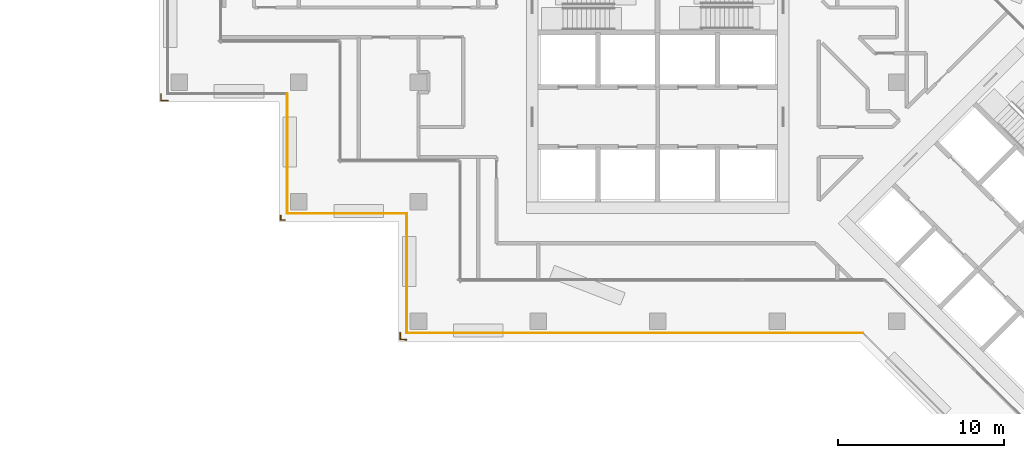
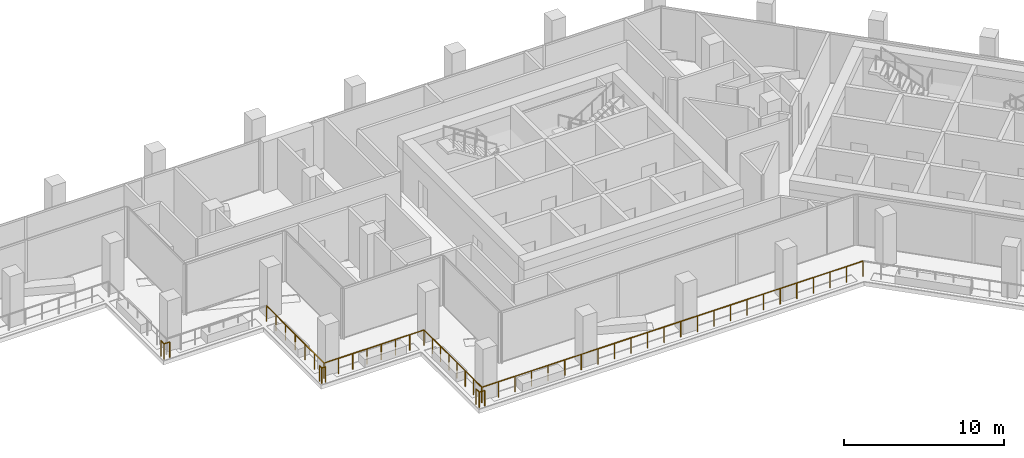
# One storey, part 13 of 21: 10 railings.
"""IFC4 building model written with IfcOpenShell, lengths in metres."""

from ifc_helpers import new_model, si_unit, direction, frame, origin, origin_2d, place, context, subcontext, project, spatial, circle, extrude, material, type_object, element, save


model = new_model("IFC4")

# Units and contexts
model_context = context("Model", 3, precision=1e-05, world=origin(), true_north=direction((0.0, 1.0)))
body_context = subcontext(model_context, "Body", "Model", "MODEL_VIEW")
ifc_project = project(units=[si_unit("LENGTHUNIT", "METRE"), si_unit("AREAUNIT", "SQUARE_METRE"), si_unit("VOLUMEUNIT", "CUBIC_METRE"), si_unit("PLANEANGLEUNIT", "RADIAN"), si_unit("MASSUNIT", "GRAM", prefix="KILO")], contexts=[model_context])

# Site, building, storey
site_placement = place(None, origin())
site = spatial("IfcSite", under=ifc_project, at=site_placement, CompositionType="ELEMENT")
building_placement = place(site_placement, origin())
building = spatial("IfcBuilding", under=site, at=building_placement, Name="Windrow Commons", CompositionType="ELEMENT")
storey_placement = place(building_placement, frame((0.0, 0.0, 131.2)))
storey = spatial("IfcBuildingStorey", under=building, at=storey_placement, Name="L35", CompositionType="ELEMENT", Elevation=131.2)

# Railings
ifc_material = material(Name="Stainless steel S316 balustrade with toughened glass infill", Category="steel")
railing_type = type_object("IfcRailingType", Name="Terrace guard 1200 podium", PredefinedType="BALUSTRADE", material=ifc_material)
railing_1_placement = place(storey_placement, frame((77.163, 42.5, 0.05)))
element("IfcRailing", 1, at=railing_1_placement, inside=storey, type_object=railing_type, Name="Guard TR-L35-1.E1", PredefinedType="BALUSTRADE", context=body_context, shape_type="SweptSolid", body=[
    extrude(circle(Radius=0.025, at=origin_2d()), frame((0.0, 0.0, 1.175), z_axis=(-1.0, 0.0, 0.0), x_axis=(0.0, -1.0, 0.0)), (0.0, 0.0, 1.0), 27.463),
    extrude(circle(Radius=0.02, at=origin_2d()), origin(), (0.0, 0.0, 1.0), 1.15),
    extrude(circle(Radius=0.02, at=origin_2d()), frame((-1.194, 0.0, 0.0)), (0.0, 0.0, 1.0), 1.15),
    extrude(circle(Radius=0.02, at=origin_2d()), frame((-2.3881, 0.0, 0.0)), (0.0, 0.0, 1.0), 1.15),
    extrude(circle(Radius=0.02, at=origin_2d()), frame((-3.5821, 0.0, 0.0)), (0.0, 0.0, 1.0), 1.15),
    extrude(circle(Radius=0.02, at=origin_2d()), frame((-4.7762, 0.0, 0.0)), (0.0, 0.0, 1.0), 1.15),
    extrude(circle(Radius=0.02, at=origin_2d()), frame((-5.9702, 0.0, 0.0)), (0.0, 0.0, 1.0), 1.15),
    extrude(circle(Radius=0.02, at=origin_2d()), frame((-7.1643, 0.0, 0.0)), (0.0, 0.0, 1.0), 1.15),
    extrude(circle(Radius=0.02, at=origin_2d()), frame((-8.3583, 0.0, 0.0)), (0.0, 0.0, 1.0), 1.15),
    extrude(circle(Radius=0.02, at=origin_2d()), frame((-9.5523, 0.0, 0.0)), (0.0, 0.0, 1.0), 1.15),
    extrude(circle(Radius=0.02, at=origin_2d()), frame((-10.7464, 0.0, 0.0)), (0.0, 0.0, 1.0), 1.15),
    extrude(circle(Radius=0.02, at=origin_2d()), frame((-11.9404, 0.0, 0.0)), (0.0, 0.0, 1.0), 1.15),
    extrude(circle(Radius=0.02, at=origin_2d()), frame((-13.1345, 0.0, 0.0)), (0.0, 0.0, 1.0), 1.15),
    extrude(circle(Radius=0.02, at=origin_2d()), frame((-14.3285, 0.0, 0.0)), (0.0, 0.0, 1.0), 1.15),
    extrude(circle(Radius=0.02, at=origin_2d()), frame((-15.5226, 0.0, 0.0)), (0.0, 0.0, 1.0), 1.15),
    extrude(circle(Radius=0.02, at=origin_2d()), frame((-16.7166, 0.0, 0.0)), (0.0, 0.0, 1.0), 1.15),
    extrude(circle(Radius=0.02, at=origin_2d()), frame((-17.9107, 0.0, 0.0)), (0.0, 0.0, 1.0), 1.15),
    extrude(circle(Radius=0.02, at=origin_2d()), frame((-19.1047, 0.0, 0.0)), (0.0, 0.0, 1.0), 1.15),
    extrude(circle(Radius=0.02, at=origin_2d()), frame((-20.2987, 0.0, 0.0)), (0.0, 0.0, 1.0), 1.15),
    extrude(circle(Radius=0.02, at=origin_2d()), frame((-21.4928, 0.0, 0.0)), (0.0, 0.0, 1.0), 1.15),
    extrude(circle(Radius=0.02, at=origin_2d()), frame((-22.6868, 0.0, 0.0)), (0.0, 0.0, 1.0), 1.15),
    extrude(circle(Radius=0.02, at=origin_2d()), frame((-23.8809, 0.0, 0.0)), (0.0, 0.0, 1.0), 1.15),
    extrude(circle(Radius=0.02, at=origin_2d()), frame((-25.0749, 0.0, 0.0)), (0.0, 0.0, 1.0), 1.15),
    extrude(circle(Radius=0.02, at=origin_2d()), frame((-26.269, 0.0, 0.0)), (0.0, 0.0, 1.0), 1.15),
    extrude(circle(Radius=0.02, at=origin_2d()), frame((-27.463, 0.0, 0.0)), (0.0, 0.0, 1.0), 1.15),
])
railing_2_placement = place(storey_placement, frame((49.7, 42.5, 0.05)))
element("IfcRailing", 2, at=railing_2_placement, inside=storey, type_object=railing_type, Name="Guard TR-L35-1.E2", PredefinedType="BALUSTRADE", context=body_context, shape_type="SweptSolid", body=[
    extrude(circle(Radius=0.025, at=origin_2d()), frame((0.0, 0.0, 1.175), z_axis=(0.0, 1.0, 0.0), x_axis=(-1.0, 0.0, 0.0)), (0.0, 0.0, 1.0), 7.2),
    extrude(circle(Radius=0.02, at=origin_2d()), origin(), (0.0, 0.0, 1.0), 1.15),
    extrude(circle(Radius=0.02, at=origin_2d()), frame((0.0, 1.0286, 0.0)), (0.0, 0.0, 1.0), 1.15),
    extrude(circle(Radius=0.02, at=origin_2d()), frame((0.0, 2.0571, 0.0)), (0.0, 0.0, 1.0), 1.15),
    extrude(circle(Radius=0.02, at=origin_2d()), frame((0.0, 3.0857, 0.0)), (0.0, 0.0, 1.0), 1.15),
    extrude(circle(Radius=0.02, at=origin_2d()), frame((0.0, 4.1143, 0.0)), (0.0, 0.0, 1.0), 1.15),
    extrude(circle(Radius=0.02, at=origin_2d()), frame((0.0, 5.1429, 0.0)), (0.0, 0.0, 1.0), 1.15),
    extrude(circle(Radius=0.02, at=origin_2d()), frame((0.0, 6.1714, 0.0)), (0.0, 0.0, 1.0), 1.15),
    extrude(circle(Radius=0.02, at=origin_2d()), frame((0.0, 7.2, 0.0)), (0.0, 0.0, 1.0), 1.15),
])
railing_3_placement = place(storey_placement, frame((49.7, 49.7, 0.05)))
element("IfcRailing", 3, at=railing_3_placement, inside=storey, type_object=railing_type, Name="Guard TR-L35-1.E3", PredefinedType="BALUSTRADE", context=body_context, shape_type="SweptSolid", body=[
    extrude(circle(Radius=0.025, at=origin_2d()), frame((0.0, 0.0, 1.175), z_axis=(-1.0, 0.0, 0.0), x_axis=(0.0, -1.0, 0.0)), (0.0, 0.0, 1.0), 7.2),
    extrude(circle(Radius=0.02, at=origin_2d()), origin(), (0.0, 0.0, 1.0), 1.15),
    extrude(circle(Radius=0.02, at=origin_2d()), frame((-1.0286, 0.0, 0.0)), (0.0, 0.0, 1.0), 1.15),
    extrude(circle(Radius=0.02, at=origin_2d()), frame((-2.0571, 0.0, 0.0)), (0.0, 0.0, 1.0), 1.15),
    extrude(circle(Radius=0.02, at=origin_2d()), frame((-3.0857, 0.0, 0.0)), (0.0, 0.0, 1.0), 1.15),
    extrude(circle(Radius=0.02, at=origin_2d()), frame((-4.1143, 0.0, 0.0)), (0.0, 0.0, 1.0), 1.15),
    extrude(circle(Radius=0.02, at=origin_2d()), frame((-5.1429, 0.0, 0.0)), (0.0, 0.0, 1.0), 1.15),
    extrude(circle(Radius=0.02, at=origin_2d()), frame((-6.1714, 0.0, 0.0)), (0.0, 0.0, 1.0), 1.15),
    extrude(circle(Radius=0.02, at=origin_2d()), frame((-7.2, 0.0, 0.0)), (0.0, 0.0, 1.0), 1.15),
])
railing_4_placement = place(storey_placement, frame((42.5, 49.7, 0.05)))
element("IfcRailing", 4, at=railing_4_placement, inside=storey, type_object=railing_type, Name="Guard TR-L35-1.E4", PredefinedType="BALUSTRADE", context=body_context, shape_type="SweptSolid", body=[
    extrude(circle(Radius=0.025, at=origin_2d()), frame((0.0, 0.0, 1.175), z_axis=(0.0, 1.0, 0.0), x_axis=(-1.0, 0.0, 0.0)), (0.0, 0.0, 1.0), 7.2),
    extrude(circle(Radius=0.02, at=origin_2d()), origin(), (0.0, 0.0, 1.0), 1.15),
    extrude(circle(Radius=0.02, at=origin_2d()), frame((0.0, 1.2, 0.0)), (0.0, 0.0, 1.0), 1.15),
    extrude(circle(Radius=0.02, at=origin_2d()), frame((0.0, 2.4, 0.0)), (0.0, 0.0, 1.0), 1.15),
    extrude(circle(Radius=0.02, at=origin_2d()), frame((0.0, 3.6, 0.0)), (0.0, 0.0, 1.0), 1.15),
    extrude(circle(Radius=0.02, at=origin_2d()), frame((0.0, 4.8, 0.0)), (0.0, 0.0, 1.0), 1.15),
    extrude(circle(Radius=0.02, at=origin_2d()), frame((0.0, 6.0, 0.0)), (0.0, 0.0, 1.0), 1.15),
    extrude(circle(Radius=0.02, at=origin_2d()), frame((0.0, 7.2, 0.0)), (0.0, 0.0, 1.0), 1.15),
])
railing_5_placement = place(storey_placement, frame((35.3038, 56.5, 0.05)))
element("IfcRailing", 5, at=railing_5_placement, inside=storey, type_object=railing_type, Name="Guard TR-L35-1.C161", PredefinedType="BALUSTRADE", context=body_context, shape_type="SweptSolid", body=[
    extrude(circle(Radius=0.025, at=origin_2d()), frame((0.0, 0.0, 1.175), z_axis=(-1.0, 0.0, 0.0), x_axis=(0.0, -1.0, 0.0)), (0.0, 0.0, 1.0), 0.4005),
    extrude(circle(Radius=0.02, at=origin_2d()), origin(), (0.0, 0.0, 1.0), 1.15),
    extrude(circle(Radius=0.02, at=origin_2d()), frame((-0.4005, 0.0, 0.0)), (0.0, 0.0, 1.0), 1.15),
])
railing_6_placement = place(storey_placement, frame((34.9033, 56.5, 0.05)))
element("IfcRailing", 6, at=railing_6_placement, inside=storey, type_object=railing_type, Name="Guard TR-L35-1.C162", PredefinedType="BALUSTRADE", context=body_context, shape_type="SweptSolid", body=[
    extrude(circle(Radius=0.025, at=origin_2d()), frame((0.0, 0.0, 1.175), z_axis=(-0.0083078704, 0.999965489, 0.0), x_axis=(-0.999965489, -0.0083078704, 0.0)), (0.0, 0.0, 1.0), 0.3972),
    extrude(circle(Radius=0.02, at=origin_2d()), origin(), (0.0, 0.0, 1.0), 1.15),
    extrude(circle(Radius=0.02, at=origin_2d()), frame((-0.0033, 0.3972, 0.0)), (0.0, 0.0, 1.0), 1.15),
])
railing_7_placement = place(storey_placement, frame((42.367, 49.3, 0.05)))
element("IfcRailing", 7, at=railing_7_placement, inside=storey, type_object=railing_type, Name="Guard TR-L35-1.C163", PredefinedType="BALUSTRADE", context=body_context, shape_type="SweptSolid", body=[
    extrude(circle(Radius=0.025, at=origin_2d()), frame((0.0, 0.0, 1.175), z_axis=(-0.9995171758, 0.0310711332, 0.0), x_axis=(-0.0310711332, -0.9995171758, 0.0)), (0.0, 0.0, 1.0), 0.2671),
    extrude(circle(Radius=0.02, at=origin_2d()), origin(), (0.0, 0.0, 1.0), 1.15),
    extrude(circle(Radius=0.02, at=origin_2d()), frame((-0.267, 0.0083, 0.0)), (0.0, 0.0, 1.0), 1.15),
])
railing_8_placement = place(storey_placement, frame((42.1, 49.3083, 0.05)))
element("IfcRailing", 8, at=railing_8_placement, inside=storey, type_object=railing_type, Name="Guard TR-L35-1.C164", PredefinedType="BALUSTRADE", context=body_context, shape_type="SweptSolid", body=[
    extrude(circle(Radius=0.025, at=origin_2d()), frame((0.0, 0.0, 1.175), z_axis=(0.0, 1.0, 0.0), x_axis=(-1.0, 0.0, 0.0)), (0.0, 0.0, 1.0), 0.2754),
    extrude(circle(Radius=0.02, at=origin_2d()), origin(), (0.0, 0.0, 1.0), 1.15),
    extrude(circle(Radius=0.02, at=origin_2d()), frame((0.0, 0.2754, 0.0)), (0.0, 0.0, 1.0), 1.15),
])
railing_9_placement = place(storey_placement, frame((49.6805, 42.1, 0.05)))
element("IfcRailing", 9, at=railing_9_placement, inside=storey, type_object=railing_type, Name="Guard TR-L35-1.C165", PredefinedType="BALUSTRADE", context=body_context, shape_type="SweptSolid", body=[
    extrude(circle(Radius=0.025, at=origin_2d()), frame((0.0, 0.0, 1.175), z_axis=(-0.9986351748, 0.052228226, 0.0), x_axis=(-0.052228226, -0.9986351748, 0.0)), (0.0, 0.0, 1.0), 0.381),
    extrude(circle(Radius=0.02, at=origin_2d()), origin(), (0.0, 0.0, 1.0), 1.15),
    extrude(circle(Radius=0.02, at=origin_2d()), frame((-0.3805, 0.0199, 0.0)), (0.0, 0.0, 1.0), 1.15),
])
railing_10_placement = place(storey_placement, frame((49.3, 42.1199, 0.05)))
element("IfcRailing", 10, at=railing_10_placement, inside=storey, type_object=railing_type, Name="Guard TR-L35-1.C166", PredefinedType="BALUSTRADE", context=body_context, shape_type="SweptSolid", body=[
    extrude(circle(Radius=0.025, at=origin_2d()), frame((0.0, 0.0, 1.175), z_axis=(0.0, 1.0, 0.0), x_axis=(-1.0, 0.0, 0.0)), (0.0, 0.0, 1.0), 0.4005),
    extrude(circle(Radius=0.02, at=origin_2d()), origin(), (0.0, 0.0, 1.0), 1.15),
    extrude(circle(Radius=0.02, at=origin_2d()), frame((0.0, 0.4005, 0.0)), (0.0, 0.0, 1.0), 1.15),
])

save(model, "model.ifc")
